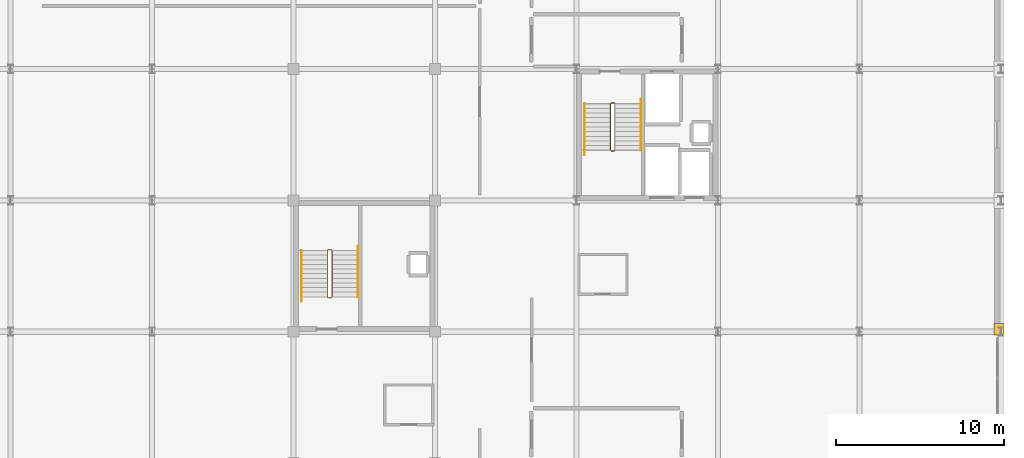
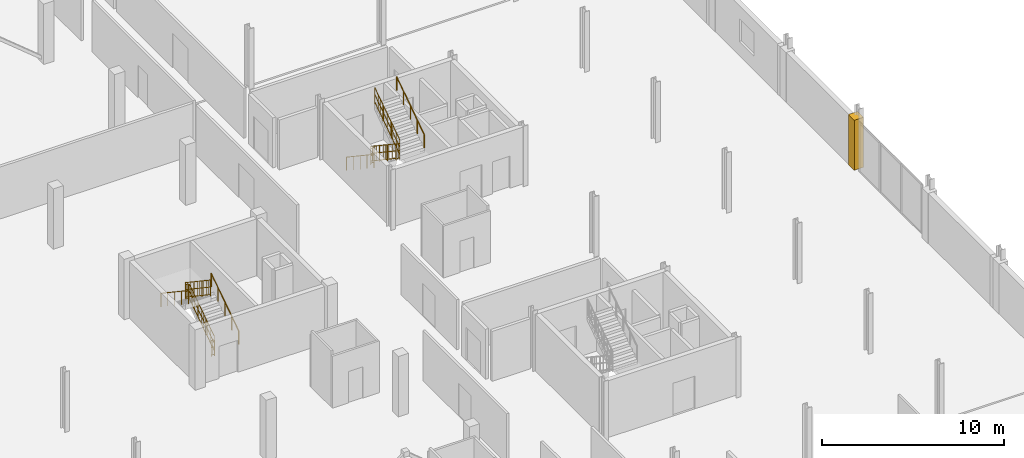
# One storey, part 76 of 77: 12 railings, 1 covering.
"""IFC4 building model written with IfcOpenShell, lengths in metres."""

from ifc_helpers import new_model, si_unit, direction, frame, origin, origin_2d, place, context, subcontext, project, spatial, polyline, circle, outline, extrude, material, layer, layer_set, type_object, element, save


model = new_model("IFC4")

# Units and contexts
model_context = context("Model", 3, precision=1e-05, world=origin(), true_north=direction((0.0, 1.0)))
body_context = subcontext(model_context, "Body", "Model", "MODEL_VIEW")
ifc_project = project(units=[si_unit("LENGTHUNIT", "METRE"), si_unit("AREAUNIT", "SQUARE_METRE"), si_unit("VOLUMEUNIT", "CUBIC_METRE"), si_unit("PLANEANGLEUNIT", "RADIAN"), si_unit("MASSUNIT", "GRAM", prefix="KILO")], contexts=[model_context])

# Site, building, storey
site_placement = place(None, origin())
site = spatial("IfcSite", under=ifc_project, at=site_placement, CompositionType="ELEMENT")
building_placement = place(site_placement, origin())
building = spatial("IfcBuilding", under=site, at=building_placement, Name="Nabrawat Pavilion Hospital", CompositionType="ELEMENT")
storey_placement = place(building_placement, frame((0.0, 0.0, 14.85009765625)))
storey = spatial("IfcBuildingStorey", under=building, at=storey_placement, Name="L03", CompositionType="ELEMENT", Elevation=14.85009765625)

# Covering
ifc_material_1 = material(Name="Precast concrete C40/50", Category="concrete")
ifc_layer_1 = layer(ifc_material_1, 0.360107421875, Name="Precast concrete C40/50")
ifc_layer_set_1 = layer_set([ifc_layer_1], Name="Precast concrete C40/50")
covering_type = type_object("IfcCoveringType", Name="Architectural Precast Column-Jamb Closure Reveal", PredefinedType="CLADDING", material=ifc_layer_set_1)
covering_placement = place(storey_placement, origin())
element("IfcCovering", 1, at=covering_placement, inside=storey, type_object=covering_type, Name="L03 Precast Facade Column-Jamb Weatherseal Closure 0509", PredefinedType="CLADDING", context=body_context, shape_type="SweptSolid", body=[
    extrude(outline(polyline([(193.3798828125, 62.219970703125), (193.3798828125, 62.8798828125), (192.800048828125, 62.8798828125), (192.800048828125, 62.219970703125), (193.3798828125, 62.219970703125)])), origin(), (0.0, 0.0, 1.0), 3.349853515625),
])

# Railings
ifc_material_2 = material(Name="Stainless Steel 316", Category="steel")
ifc_layer_2 = layer(ifc_material_2, 0.050048828125, Name="Stainless Steel 316")
ifc_layer_set_2 = layer_set([ifc_layer_2], Name="Stainless Steel 316")
railing_type_1 = type_object("IfcRailingType", Name="Stair Open-Well Safety Guardrail 1100", PredefinedType="GUARDRAIL", material=ifc_layer_set_2)
railing_1_placement = place(storey_placement, frame((170.02490234375, 75.929931640625, 0.18408203125)))
element("IfcRailing", 2, at=railing_1_placement, inside=storey, type_object=railing_type_1, Name="L03 ST-06 stair guard 1", PredefinedType="GUARDRAIL", context=body_context, shape_type="SweptSolid", body=[
    extrude(circle(Radius=0.02392578125, at=origin_2d()), frame((0.0, 0.0, 1.076171875), z_axis=(0.0, -0.831004616288, 0.556265519071), x_axis=(1.0, 0.0, 0.0)), (0.0, 0.0, 1.0), 3.309326171875),
    extrude(circle(Radius=0.02392578125, at=origin_2d()), frame((0.0, 0.0, 0.10009765625), z_axis=(0.0, -0.831004616288, 0.556265519071), x_axis=(1.0, 0.0, 0.0)), (0.0, 0.0, 1.0), 3.309326171875),
    extrude(circle(Radius=0.02392578125, at=origin_2d()), frame((0.0, 0.0, 0.60498046875), z_axis=(0.0, -0.831004616288, 0.556265519071), x_axis=(1.0, 0.0, 0.0)), (0.0, 0.0, 1.0), 3.309326171875),
    extrude(circle(Radius=0.008056640625, at=origin_2d()), frame((0.0, -0.196533203125, 0.2314453125)), (0.0, 0.0, 1.0), 0.951904296875),
    extrude(circle(Radius=0.008056640625, at=origin_2d()), frame((0.0, -0.392822265625, 0.363037109375)), (0.0, 0.0, 1.0), 0.951904296875),
    extrude(circle(Radius=0.008056640625, at=origin_2d()), frame((0.0, -0.58935546875, 0.494384765625)), (0.0, 0.0, 1.0), 0.951904296875),
    extrude(circle(Radius=0.008056640625, at=origin_2d()), frame((0.0, -0.78564453125, 0.6259765625)), (0.0, 0.0, 1.0), 0.951904296875),
    extrude(circle(Radius=0.008056640625, at=origin_2d()), frame((0.0, -0.982177734375, 0.75732421875)), (0.0, 0.0, 1.0), 0.951904296875),
    extrude(circle(Radius=0.008056640625, at=origin_2d()), frame((0.0, -1.178466796875, 0.888916015625)), (0.0, 0.0, 1.0), 0.951904296875),
    extrude(circle(Radius=0.008056640625, at=origin_2d()), frame((0.0, -1.375, 1.0205078125)), (0.0, 0.0, 1.0), 0.951904296875),
    extrude(circle(Radius=0.008056640625, at=origin_2d()), frame((0.0, -1.571533203125, 1.15185546875)), (0.0, 0.0, 1.0), 0.951904296875),
    extrude(circle(Radius=0.008056640625, at=origin_2d()), frame((0.0, -1.767822265625, 1.283447265625)), (0.0, 0.0, 1.0), 0.951904296875),
    extrude(circle(Radius=0.008056640625, at=origin_2d()), frame((0.0, -1.96435546875, 1.414794921875)), (0.0, 0.0, 1.0), 0.951904296875),
    extrude(circle(Radius=0.008056640625, at=origin_2d()), frame((0.0, -2.16064453125, 1.54638671875)), (0.0, 0.0, 1.0), 0.951904296875),
    extrude(circle(Radius=0.008056640625, at=origin_2d()), frame((0.0, -2.357177734375, 1.677734375)), (0.0, 0.0, 1.0), 0.951904296875),
    extrude(circle(Radius=0.008056640625, at=origin_2d()), frame((0.0, -2.553466796875, 1.809326171875)), (0.0, 0.0, 1.0), 0.951904296875),
    extrude(circle(Radius=0.02099609375, at=origin_2d()), origin(), (0.0, 0.0, 1.0), 1.052001953125),
    extrude(circle(Radius=0.02099609375, at=origin_2d()), frame((0.0, -0.916748046875, 0.613525390625)), (0.0, 0.0, 1.0), 1.052001953125),
    extrude(circle(Radius=0.02099609375, at=origin_2d()), frame((0.0, -1.833251953125, 1.227294921875)), (0.0, 0.0, 1.0), 1.052001953125),
    extrude(circle(Radius=0.02099609375, at=origin_2d()), frame((0.0, -2.75, 1.8408203125)), (0.0, 0.0, 1.0), 1.052001953125),
])
railing_2_placement = place(storey_placement, frame((170.050048828125, 73.1298828125, 2.02490234375)))
element("IfcRailing", 3, at=railing_2_placement, inside=storey, type_object=railing_type_1, Name="L03 ST-06 stair guard 2", PredefinedType="GUARDRAIL", context=body_context, shape_type="SweptSolid", body=[
    extrude(circle(Radius=0.02392578125, at=origin_2d()), frame((0.0, 0.0, 1.076171875), z_axis=(1.0, 0.0, 0.0), x_axis=(0.0, 1.0, 0.0)), (0.0, 0.0, 1.0), 0.199951171875),
    extrude(circle(Radius=0.02392578125, at=origin_2d()), frame((0.0, 0.0, 0.10009765625), z_axis=(1.0, 0.0, 0.0), x_axis=(0.0, 1.0, 0.0)), (0.0, 0.0, 1.0), 0.199951171875),
    extrude(circle(Radius=0.02392578125, at=origin_2d()), frame((0.0, 0.0, 0.60498046875), z_axis=(1.0, 0.0, 0.0), x_axis=(0.0, 1.0, 0.0)), (0.0, 0.0, 1.0), 0.199951171875),
    extrude(circle(Radius=0.008056640625, at=origin_2d()), frame((0.10009765625, 0.0, 0.10009765625)), (0.0, 0.0, 1.0), 0.951904296875),
    extrude(circle(Radius=0.02099609375, at=origin_2d()), origin(), (0.0, 0.0, 1.0), 1.052001953125),
    extrude(circle(Radius=0.02099609375, at=origin_2d()), frame((0.199951171875, 0.0, 0.0)), (0.0, 0.0, 1.0), 1.052001953125),
])
railing_3_placement = place(storey_placement, frame((170.27490234375, 73.179931640625, 2.208984375)))
element("IfcRailing", 4, at=railing_3_placement, inside=storey, type_object=railing_type_1, Name="L03 ST-06 stair guard 3", PredefinedType="GUARDRAIL", context=body_context, shape_type="SweptSolid", body=[
    extrude(circle(Radius=0.02392578125, at=origin_2d()), frame((0.0, 0.0, 1.076171875), z_axis=(0.0, 0.831004616288, 0.556265519071), x_axis=(-1.0, 0.0, 0.0)), (0.0, 0.0, 1.0), 3.309326171875),
    extrude(circle(Radius=0.02392578125, at=origin_2d()), frame((0.0, 0.0, 0.10009765625), z_axis=(0.0, 0.831004616288, 0.556265519071), x_axis=(-1.0, 0.0, 0.0)), (0.0, 0.0, 1.0), 3.309326171875),
    extrude(circle(Radius=0.02392578125, at=origin_2d()), frame((0.0, 0.0, 0.60498046875), z_axis=(0.0, 0.831004616288, 0.556265519071), x_axis=(-1.0, 0.0, 0.0)), (0.0, 0.0, 1.0), 3.309326171875),
    extrude(circle(Radius=0.008056640625, at=origin_2d()), frame((0.0, 0.196533203125, 0.2314453125)), (0.0, 0.0, 1.0), 0.951904296875),
    extrude(circle(Radius=0.008056640625, at=origin_2d()), frame((0.0, 0.392822265625, 0.363037109375)), (0.0, 0.0, 1.0), 0.951904296875),
    extrude(circle(Radius=0.008056640625, at=origin_2d()), frame((0.0, 0.58935546875, 0.494384765625)), (0.0, 0.0, 1.0), 0.951904296875),
    extrude(circle(Radius=0.008056640625, at=origin_2d()), frame((0.0, 0.78564453125, 0.6259765625)), (0.0, 0.0, 1.0), 0.951904296875),
    extrude(circle(Radius=0.008056640625, at=origin_2d()), frame((0.0, 0.982177734375, 0.75732421875)), (0.0, 0.0, 1.0), 0.951904296875),
    extrude(circle(Radius=0.008056640625, at=origin_2d()), frame((0.0, 1.178466796875, 0.888916015625)), (0.0, 0.0, 1.0), 0.951904296875),
    extrude(circle(Radius=0.008056640625, at=origin_2d()), frame((0.0, 1.375, 1.0205078125)), (0.0, 0.0, 1.0), 0.951904296875),
    extrude(circle(Radius=0.008056640625, at=origin_2d()), frame((0.0, 1.571533203125, 1.15185546875)), (0.0, 0.0, 1.0), 0.951904296875),
    extrude(circle(Radius=0.008056640625, at=origin_2d()), frame((0.0, 1.767822265625, 1.283447265625)), (0.0, 0.0, 1.0), 0.951904296875),
    extrude(circle(Radius=0.008056640625, at=origin_2d()), frame((0.0, 1.96435546875, 1.414794921875)), (0.0, 0.0, 1.0), 0.951904296875),
    extrude(circle(Radius=0.008056640625, at=origin_2d()), frame((0.0, 2.16064453125, 1.54638671875)), (0.0, 0.0, 1.0), 0.951904296875),
    extrude(circle(Radius=0.008056640625, at=origin_2d()), frame((0.0, 2.357177734375, 1.677734375)), (0.0, 0.0, 1.0), 0.951904296875),
    extrude(circle(Radius=0.008056640625, at=origin_2d()), frame((0.0, 2.553466796875, 1.809326171875)), (0.0, 0.0, 1.0), 0.951904296875),
    extrude(circle(Radius=0.02099609375, at=origin_2d()), origin(), (0.0, 0.0, 1.0), 1.052001953125),
    extrude(circle(Radius=0.02099609375, at=origin_2d()), frame((0.0, 0.916748046875, 0.613525390625)), (0.0, 0.0, 1.0), 1.052001953125),
    extrude(circle(Radius=0.02099609375, at=origin_2d()), frame((0.0, 1.833251953125, 1.227294921875)), (0.0, 0.0, 1.0), 1.052001953125),
    extrude(circle(Radius=0.02099609375, at=origin_2d()), frame((0.0, 2.75, 1.8408203125)), (0.0, 0.0, 1.0), 1.052001953125),
])
railing_4_placement = place(storey_placement, frame((170.050048828125, 75.97998046875, 0.0)))
element("IfcRailing", 5, at=railing_4_placement, inside=storey, type_object=railing_type_1, Name="L03 ST-06 stair guard 4", PredefinedType="GUARDRAIL", context=body_context, shape_type="SweptSolid", body=[
    extrude(circle(Radius=0.02392578125, at=origin_2d()), frame((0.0, 0.0, 1.076171875), z_axis=(1.0, 0.0, 0.0), x_axis=(0.0, 1.0, 0.0)), (0.0, 0.0, 1.0), 0.199951171875),
    extrude(circle(Radius=0.02392578125, at=origin_2d()), frame((0.0, 0.0, 0.10009765625), z_axis=(1.0, 0.0, 0.0), x_axis=(0.0, 1.0, 0.0)), (0.0, 0.0, 1.0), 0.199951171875),
    extrude(circle(Radius=0.02392578125, at=origin_2d()), frame((0.0, 0.0, 0.60498046875), z_axis=(1.0, 0.0, 0.0), x_axis=(0.0, 1.0, 0.0)), (0.0, 0.0, 1.0), 0.199951171875),
    extrude(circle(Radius=0.008056640625, at=origin_2d()), frame((0.10009765625, 0.0, 0.10009765625)), (0.0, 0.0, 1.0), 0.951904296875),
    extrude(circle(Radius=0.02099609375, at=origin_2d()), origin(), (0.0, 0.0, 1.0), 1.052001953125),
    extrude(circle(Radius=0.02099609375, at=origin_2d()), frame((0.199951171875, 0.0, 0.0)), (0.0, 0.0, 1.0), 1.052001953125),
])
railing_5_placement = place(storey_placement, frame((153.47509765625, 64.469970703125, 0.18408203125)))
element("IfcRailing", 6, at=railing_5_placement, inside=storey, type_object=railing_type_1, Name="L03 ST-09 stair guard 1", PredefinedType="GUARDRAIL", context=body_context, shape_type="SweptSolid", body=[
    extrude(circle(Radius=0.02392578125, at=origin_2d()), frame((0.0, 0.0, 1.076171875), z_axis=(0.0, 0.831004616288, 0.556265519071), x_axis=(-1.0, 0.0, 0.0)), (0.0, 0.0, 1.0), 3.309326171875),
    extrude(circle(Radius=0.02392578125, at=origin_2d()), frame((0.0, 0.0, 0.10009765625), z_axis=(0.0, 0.831004616288, 0.556265519071), x_axis=(-1.0, 0.0, 0.0)), (0.0, 0.0, 1.0), 3.309326171875),
    extrude(circle(Radius=0.02392578125, at=origin_2d()), frame((0.0, 0.0, 0.60498046875), z_axis=(0.0, 0.831004616288, 0.556265519071), x_axis=(-1.0, 0.0, 0.0)), (0.0, 0.0, 1.0), 3.309326171875),
    extrude(circle(Radius=0.008056640625, at=origin_2d()), frame((0.0, 0.196533203125, 0.2314453125)), (0.0, 0.0, 1.0), 0.951904296875),
    extrude(circle(Radius=0.008056640625, at=origin_2d()), frame((0.0, 0.392822265625, 0.363037109375)), (0.0, 0.0, 1.0), 0.951904296875),
    extrude(circle(Radius=0.008056640625, at=origin_2d()), frame((0.0, 0.58935546875, 0.494384765625)), (0.0, 0.0, 1.0), 0.951904296875),
    extrude(circle(Radius=0.008056640625, at=origin_2d()), frame((0.0, 0.78564453125, 0.6259765625)), (0.0, 0.0, 1.0), 0.951904296875),
    extrude(circle(Radius=0.008056640625, at=origin_2d()), frame((0.0, 0.982177734375, 0.75732421875)), (0.0, 0.0, 1.0), 0.951904296875),
    extrude(circle(Radius=0.008056640625, at=origin_2d()), frame((0.0, 1.178466796875, 0.888916015625)), (0.0, 0.0, 1.0), 0.951904296875),
    extrude(circle(Radius=0.008056640625, at=origin_2d()), frame((0.0, 1.375, 1.0205078125)), (0.0, 0.0, 1.0), 0.951904296875),
    extrude(circle(Radius=0.008056640625, at=origin_2d()), frame((0.0, 1.571533203125, 1.15185546875)), (0.0, 0.0, 1.0), 0.951904296875),
    extrude(circle(Radius=0.008056640625, at=origin_2d()), frame((0.0, 1.767822265625, 1.283447265625)), (0.0, 0.0, 1.0), 0.951904296875),
    extrude(circle(Radius=0.008056640625, at=origin_2d()), frame((0.0, 1.96435546875, 1.414794921875)), (0.0, 0.0, 1.0), 0.951904296875),
    extrude(circle(Radius=0.008056640625, at=origin_2d()), frame((0.0, 2.16064453125, 1.54638671875)), (0.0, 0.0, 1.0), 0.951904296875),
    extrude(circle(Radius=0.008056640625, at=origin_2d()), frame((0.0, 2.357177734375, 1.677734375)), (0.0, 0.0, 1.0), 0.951904296875),
    extrude(circle(Radius=0.008056640625, at=origin_2d()), frame((0.0, 2.553466796875, 1.809326171875)), (0.0, 0.0, 1.0), 0.951904296875),
    extrude(circle(Radius=0.02099609375, at=origin_2d()), origin(), (0.0, 0.0, 1.0), 1.052001953125),
    extrude(circle(Radius=0.02099609375, at=origin_2d()), frame((0.0, 0.916748046875, 0.613525390625)), (0.0, 0.0, 1.0), 1.052001953125),
    extrude(circle(Radius=0.02099609375, at=origin_2d()), frame((0.0, 1.833251953125, 1.227294921875)), (0.0, 0.0, 1.0), 1.052001953125),
    extrude(circle(Radius=0.02099609375, at=origin_2d()), frame((0.0, 2.75, 1.8408203125)), (0.0, 0.0, 1.0), 1.052001953125),
])
railing_6_placement = place(storey_placement, frame((153.449951171875, 67.27001953125, 2.02490234375)))
element("IfcRailing", 7, at=railing_6_placement, inside=storey, type_object=railing_type_1, Name="L03 ST-09 stair guard 2", PredefinedType="GUARDRAIL", context=body_context, shape_type="SweptSolid", body=[
    extrude(circle(Radius=0.02392578125, at=origin_2d()), frame((0.0, 0.0, 1.076171875), z_axis=(-1.0, 0.0, 0.0), x_axis=(0.0, -1.0, 0.0)), (0.0, 0.0, 1.0), 0.199951171875),
    extrude(circle(Radius=0.02392578125, at=origin_2d()), frame((0.0, 0.0, 0.10009765625), z_axis=(-1.0, 0.0, 0.0), x_axis=(0.0, -1.0, 0.0)), (0.0, 0.0, 1.0), 0.199951171875),
    extrude(circle(Radius=0.02392578125, at=origin_2d()), frame((0.0, 0.0, 0.60498046875), z_axis=(-1.0, 0.0, 0.0), x_axis=(0.0, -1.0, 0.0)), (0.0, 0.0, 1.0), 0.199951171875),
    extrude(circle(Radius=0.008056640625, at=origin_2d()), frame((-0.10009765625, 0.0, 0.10009765625)), (0.0, 0.0, 1.0), 0.951904296875),
    extrude(circle(Radius=0.02099609375, at=origin_2d()), origin(), (0.0, 0.0, 1.0), 1.052001953125),
    extrude(circle(Radius=0.02099609375, at=origin_2d()), frame((-0.199951171875, 0.0, 0.0)), (0.0, 0.0, 1.0), 1.052001953125),
])
railing_7_placement = place(storey_placement, frame((153.22509765625, 67.219970703125, 2.208984375)))
element("IfcRailing", 8, at=railing_7_placement, inside=storey, type_object=railing_type_1, Name="L03 ST-09 stair guard 3", PredefinedType="GUARDRAIL", context=body_context, shape_type="SweptSolid", body=[
    extrude(circle(Radius=0.02392578125, at=origin_2d()), frame((0.0, 0.0, 1.076171875), z_axis=(0.0, -0.831004616288, 0.556265519071), x_axis=(1.0, 0.0, 0.0)), (0.0, 0.0, 1.0), 3.309326171875),
    extrude(circle(Radius=0.02392578125, at=origin_2d()), frame((0.0, 0.0, 0.10009765625), z_axis=(0.0, -0.831004616288, 0.556265519071), x_axis=(1.0, 0.0, 0.0)), (0.0, 0.0, 1.0), 3.309326171875),
    extrude(circle(Radius=0.02392578125, at=origin_2d()), frame((0.0, 0.0, 0.60498046875), z_axis=(0.0, -0.831004616288, 0.556265519071), x_axis=(1.0, 0.0, 0.0)), (0.0, 0.0, 1.0), 3.309326171875),
    extrude(circle(Radius=0.008056640625, at=origin_2d()), frame((0.0, -0.196533203125, 0.2314453125)), (0.0, 0.0, 1.0), 0.951904296875),
    extrude(circle(Radius=0.008056640625, at=origin_2d()), frame((0.0, -0.392822265625, 0.363037109375)), (0.0, 0.0, 1.0), 0.951904296875),
    extrude(circle(Radius=0.008056640625, at=origin_2d()), frame((0.0, -0.58935546875, 0.494384765625)), (0.0, 0.0, 1.0), 0.951904296875),
    extrude(circle(Radius=0.008056640625, at=origin_2d()), frame((0.0, -0.78564453125, 0.6259765625)), (0.0, 0.0, 1.0), 0.951904296875),
    extrude(circle(Radius=0.008056640625, at=origin_2d()), frame((0.0, -0.982177734375, 0.75732421875)), (0.0, 0.0, 1.0), 0.951904296875),
    extrude(circle(Radius=0.008056640625, at=origin_2d()), frame((0.0, -1.178466796875, 0.888916015625)), (0.0, 0.0, 1.0), 0.951904296875),
    extrude(circle(Radius=0.008056640625, at=origin_2d()), frame((0.0, -1.375, 1.0205078125)), (0.0, 0.0, 1.0), 0.951904296875),
    extrude(circle(Radius=0.008056640625, at=origin_2d()), frame((0.0, -1.571533203125, 1.15185546875)), (0.0, 0.0, 1.0), 0.951904296875),
    extrude(circle(Radius=0.008056640625, at=origin_2d()), frame((0.0, -1.767822265625, 1.283447265625)), (0.0, 0.0, 1.0), 0.951904296875),
    extrude(circle(Radius=0.008056640625, at=origin_2d()), frame((0.0, -1.96435546875, 1.414794921875)), (0.0, 0.0, 1.0), 0.951904296875),
    extrude(circle(Radius=0.008056640625, at=origin_2d()), frame((0.0, -2.16064453125, 1.54638671875)), (0.0, 0.0, 1.0), 0.951904296875),
    extrude(circle(Radius=0.008056640625, at=origin_2d()), frame((0.0, -2.357177734375, 1.677734375)), (0.0, 0.0, 1.0), 0.951904296875),
    extrude(circle(Radius=0.008056640625, at=origin_2d()), frame((0.0, -2.553466796875, 1.809326171875)), (0.0, 0.0, 1.0), 0.951904296875),
    extrude(circle(Radius=0.02099609375, at=origin_2d()), origin(), (0.0, 0.0, 1.0), 1.052001953125),
    extrude(circle(Radius=0.02099609375, at=origin_2d()), frame((0.0, -0.916748046875, 0.613525390625)), (0.0, 0.0, 1.0), 1.052001953125),
    extrude(circle(Radius=0.02099609375, at=origin_2d()), frame((0.0, -1.833251953125, 1.227294921875)), (0.0, 0.0, 1.0), 1.052001953125),
    extrude(circle(Radius=0.02099609375, at=origin_2d()), frame((0.0, -2.75, 1.8408203125)), (0.0, 0.0, 1.0), 1.052001953125),
])
railing_8_placement = place(storey_placement, frame((153.449951171875, 64.419921875, 0.0)))
element("IfcRailing", 9, at=railing_8_placement, inside=storey, type_object=railing_type_1, Name="L03 ST-09 stair guard 4", PredefinedType="GUARDRAIL", context=body_context, shape_type="SweptSolid", body=[
    extrude(circle(Radius=0.02392578125, at=origin_2d()), frame((0.0, 0.0, 1.076171875), z_axis=(-1.0, 0.0, 0.0), x_axis=(0.0, -1.0, 0.0)), (0.0, 0.0, 1.0), 0.199951171875),
    extrude(circle(Radius=0.02392578125, at=origin_2d()), frame((0.0, 0.0, 0.10009765625), z_axis=(-1.0, 0.0, 0.0), x_axis=(0.0, -1.0, 0.0)), (0.0, 0.0, 1.0), 0.199951171875),
    extrude(circle(Radius=0.02392578125, at=origin_2d()), frame((0.0, 0.0, 0.60498046875), z_axis=(-1.0, 0.0, 0.0), x_axis=(0.0, -1.0, 0.0)), (0.0, 0.0, 1.0), 0.199951171875),
    extrude(circle(Radius=0.008056640625, at=origin_2d()), frame((-0.10009765625, 0.0, 0.10009765625)), (0.0, 0.0, 1.0), 0.951904296875),
    extrude(circle(Radius=0.02099609375, at=origin_2d()), origin(), (0.0, 0.0, 1.0), 1.052001953125),
    extrude(circle(Radius=0.02099609375, at=origin_2d()), frame((-0.199951171875, 0.0, 0.0)), (0.0, 0.0, 1.0), 1.052001953125),
])
ifc_layer_3 = layer(ifc_material_2, 0.044921875, Name="Stainless Steel 316")
ifc_layer_set_3 = layer_set([ifc_layer_3], Name="Stainless Steel 316")
railing_type_2 = type_object("IfcRailingType", Name="Stair Pitch Continuous Handrail 920", PredefinedType="HANDRAIL", material=ifc_layer_set_3)
railing_9_placement = place(storey_placement, frame((168.47509765625, 75.929931640625, 0.18798828125)))
element("IfcRailing", 10, at=railing_9_placement, inside=storey, type_object=railing_type_2, Name="L03 ST-06 stair handrail 1", PredefinedType="HANDRAIL", context=body_context, shape_type="SweptSolid", body=[
    extrude(circle(Radius=0.02392578125, at=origin_2d()), frame((0.0, 0.0, 0.89599609375), z_axis=(0.0, -0.830965310578, 0.556324233353), x_axis=(1.0, 0.0, 0.0)), (0.0, 0.0, 1.0), 3.64013671875),
    extrude(circle(Radius=0.02099609375, at=origin_2d()), origin(), (0.0, 0.0, 1.0), 0.871826171875),
    extrude(circle(Radius=0.02099609375, at=origin_2d()), frame((0.0, -0.75634765625, 0.50634765625)), (0.0, 0.0, 1.0), 0.871826171875),
    extrude(circle(Radius=0.02099609375, at=origin_2d()), frame((0.0, -1.512451171875, 1.0126953125)), (0.0, 0.0, 1.0), 0.871826171875),
    extrude(circle(Radius=0.02099609375, at=origin_2d()), frame((0.0, -2.2685546875, 1.518798828125)), (0.0, 0.0, 1.0), 0.871826171875),
    extrude(circle(Radius=0.02099609375, at=origin_2d()), frame((0.0, -3.02490234375, 2.025146484375)), (0.0, 0.0, 1.0), 0.871826171875),
])
railing_10_placement = place(storey_placement, frame((171.824951171875, 73.179931640625, 2.213134765625)))
element("IfcRailing", 11, at=railing_10_placement, inside=storey, type_object=railing_type_2, Name="L03 ST-06 stair handrail 2", PredefinedType="HANDRAIL", context=body_context, shape_type="SweptSolid", body=[
    extrude(circle(Radius=0.02392578125, at=origin_2d()), frame((0.0, 0.0, 0.89599609375), z_axis=(0.0, 0.831017067507, 0.556246917755), x_axis=(-1.0, 0.0, 0.0)), (0.0, 0.0, 1.0), 3.640380859375),
    extrude(circle(Radius=0.02099609375, at=origin_2d()), origin(), (0.0, 0.0, 1.0), 0.871826171875),
    extrude(circle(Radius=0.02099609375, at=origin_2d()), frame((0.0, 0.75634765625, 0.50634765625)), (0.0, 0.0, 1.0), 0.871826171875),
    extrude(circle(Radius=0.02099609375, at=origin_2d()), frame((0.0, 1.5126953125, 1.012451171875)), (0.0, 0.0, 1.0), 0.871826171875),
    extrude(circle(Radius=0.02099609375, at=origin_2d()), frame((0.0, 2.268798828125, 1.5185546875)), (0.0, 0.0, 1.0), 0.871826171875),
    extrude(circle(Radius=0.02099609375, at=origin_2d()), frame((0.0, 3.025146484375, 2.02490234375)), (0.0, 0.0, 1.0), 0.871826171875),
])
railing_11_placement = place(storey_placement, frame((155.02490234375, 64.469970703125, 0.18798828125)))
element("IfcRailing", 12, at=railing_11_placement, inside=storey, type_object=railing_type_2, Name="L03 ST-09 stair handrail 1", PredefinedType="HANDRAIL", context=body_context, shape_type="SweptSolid", body=[
    extrude(circle(Radius=0.02392578125, at=origin_2d()), frame((0.0, 0.0, 0.89599609375), z_axis=(0.0, 0.830986065984, 0.556293230356), x_axis=(-1.0, 0.0, 0.0)), (0.0, 0.0, 1.0), 3.640380859375),
    extrude(circle(Radius=0.02099609375, at=origin_2d()), origin(), (0.0, 0.0, 1.0), 0.871826171875),
    extrude(circle(Radius=0.02099609375, at=origin_2d()), frame((0.0, 0.75634765625, 0.50634765625)), (0.0, 0.0, 1.0), 0.871826171875),
    extrude(circle(Radius=0.02099609375, at=origin_2d()), frame((0.0, 1.5126953125, 1.0126953125)), (0.0, 0.0, 1.0), 0.871826171875),
    extrude(circle(Radius=0.02099609375, at=origin_2d()), frame((0.0, 2.268798828125, 1.518798828125)), (0.0, 0.0, 1.0), 0.871826171875),
    extrude(circle(Radius=0.02099609375, at=origin_2d()), frame((0.0, 3.025146484375, 2.025146484375)), (0.0, 0.0, 1.0), 0.871826171875),
])
railing_12_placement = place(storey_placement, frame((151.675048828125, 67.219970703125, 2.213134765625)))
element("IfcRailing", 13, at=railing_12_placement, inside=storey, type_object=railing_type_2, Name="L03 ST-09 stair handrail 2", PredefinedType="HANDRAIL", context=body_context, shape_type="SweptSolid", body=[
    extrude(circle(Radius=0.02392578125, at=origin_2d()), frame((0.0, 0.0, 0.89599609375), z_axis=(0.0, -0.830996314782, 0.556277920484), x_axis=(1.0, 0.0, 0.0)), (0.0, 0.0, 1.0), 3.64013671875),
    extrude(circle(Radius=0.02099609375, at=origin_2d()), origin(), (0.0, 0.0, 1.0), 0.871826171875),
    extrude(circle(Radius=0.02099609375, at=origin_2d()), frame((0.0, -0.75634765625, 0.50634765625)), (0.0, 0.0, 1.0), 0.871826171875),
    extrude(circle(Radius=0.02099609375, at=origin_2d()), frame((0.0, -1.512451171875, 1.012451171875)), (0.0, 0.0, 1.0), 0.871826171875),
    extrude(circle(Radius=0.02099609375, at=origin_2d()), frame((0.0, -2.2685546875, 1.5185546875)), (0.0, 0.0, 1.0), 0.871826171875),
    extrude(circle(Radius=0.02099609375, at=origin_2d()), frame((0.0, -3.02490234375, 2.02490234375)), (0.0, 0.0, 1.0), 0.871826171875),
])

save(model, "model.ifc")
